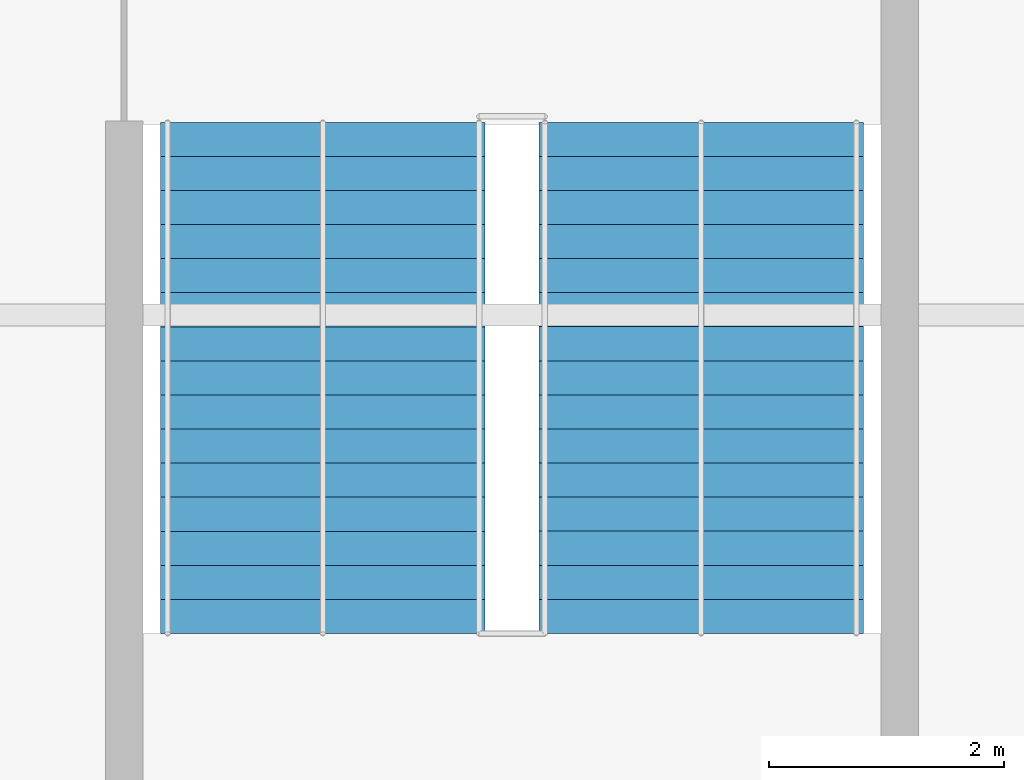
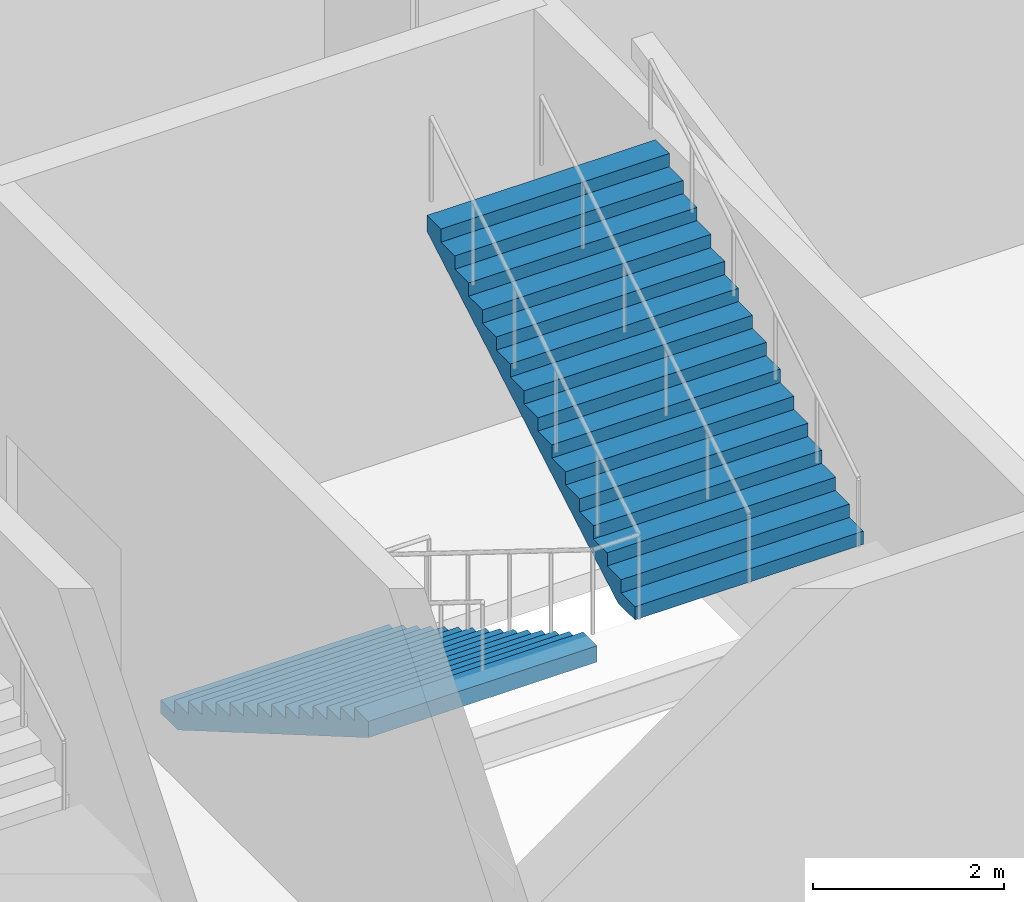
# One storey, part 94 of 113: 2 stair flights, 1 element without a shape of its own.
"""IFC4 building model written with IfcOpenShell, lengths in metres."""

import ifcopenshell
import ifcopenshell.guid

model = None  # the IFC model being written
_history = None  # IfcOwnerHistory: only IFC2X3 demands one
_inside = {}  # id of a spatial element -> (the spatial element, [elements in it])
_under = {}  # id of a project, library or spatial element -> (it, [spatial elements below it])
_declared = {}  # id of a project -> (the project, [libraries it declares])
_typed = {}  # id of a type object -> (the type object, [elements of that type])
_made_of = {}  # id of a material, layer set ... -> (it, [elements and type objects made of it])


def new_model(schema):
    """Start an empty IFC model of exactly this schema.

    Asked for "IFC4X3", IfcOpenShell would pick the latest addendum, in which some entities
    have other attributes; the version numbers below select the first issue.
    IFC2X3 requires an IfcOwnerHistory on every rooted entity: one is made here for all.
    """
    global model, _history
    if schema == "IFC4X3":
        model = ifcopenshell.file(schema_version=(4, 3, 0, 0))
    else:
        model = ifcopenshell.file(schema=schema)
    _inside.clear()
    _under.clear()
    _declared.clear()
    _typed.clear()
    _made_of.clear()
    _history = None
    if model.schema == "IFC2X3":
        org = make("IfcOrganization", Name="unknown")
        user = make(
            "IfcPersonAndOrganization",
            ThePerson=make("IfcPerson", FamilyName="unknown"),
            TheOrganization=org,
        )
        app = make(
            "IfcApplication",
            ApplicationDeveloper=org,
            Version="unknown",
            ApplicationFullName="unknown",
            ApplicationIdentifier="unknown",
        )
        _history = make(
            "IfcOwnerHistory",
            OwningUser=user,
            OwningApplication=app,
            ChangeAction="ADDED",
            CreationDate=0,
        )
    return model


def make(cls, **values):
    """One entity of the class cls with the attributes given. An attribute that is None is left unset."""
    return model.create_entity(
        cls, **{name: value for name, value in values.items() if value is not None}
    )


def rooted(cls, **values):
    """An entity with a GlobalId (a new one), such as an element, a storey or a relation."""
    return make(cls, GlobalId=ifcopenshell.guid.new(), OwnerHistory=_history, **values)


def si_unit(unit_type, name, prefix=None):
    """IfcSIUnit, for example si_unit("LENGTHUNIT", "METRE", prefix="MILLI")."""
    return make("IfcSIUnit", UnitType=unit_type, Prefix=prefix, Name=name)


def assignment(units):
    """IfcUnitAssignment: the units of a project."""
    return None if units is None else make("IfcUnitAssignment", Units=units)


def point(xyz):
    """IfcCartesianPoint."""
    return None if xyz is None else make("IfcCartesianPoint", Coordinates=xyz)


def direction(xyz):
    """IfcDirection."""
    return None if xyz is None else make("IfcDirection", DirectionRatios=xyz)


def frame(location, z_axis=None, x_axis=None):
    """IfcAxis2Placement3D, a coordinate frame: its origin and axes. An axis left out is left unset."""
    return make(
        "IfcAxis2Placement3D",
        Location=point(location),
        Axis=direction(z_axis),
        RefDirection=direction(x_axis),
    )


def origin():
    """The frame at (0, 0, 0) with its axes left unset."""
    return frame((0.0, 0.0, 0.0))


def place(relative_to, where):
    """IfcLocalPlacement: puts the frame where relative to a parent placement (None: the world)."""
    return make(
        "IfcLocalPlacement", PlacementRelTo=relative_to, RelativePlacement=where
    )


def context(
    kind, dimensions, precision=None, world=None, true_north=None, identifier=None
):
    """IfcGeometricRepresentationContext, for example the 3D "Model" context."""
    return make(
        "IfcGeometricRepresentationContext",
        ContextIdentifier=identifier,
        ContextType=kind,
        CoordinateSpaceDimension=dimensions,
        Precision=precision,
        WorldCoordinateSystem=world,
        TrueNorth=true_north,
    )


def subcontext(parent, identifier, kind, view, scale=None):
    """IfcGeometricRepresentationSubContext, for example "Body" below "Model"."""
    return make(
        "IfcGeometricRepresentationSubContext",
        ContextIdentifier=identifier,
        ContextType=kind,
        ParentContext=parent,
        TargetScale=scale,
        TargetView=view,
    )


def project(units=None, contexts=None):
    """IfcProject with its units and contexts."""
    return rooted(
        "IfcProject",
        Name="project",
        RepresentationContexts=contexts,
        UnitsInContext=assignment(units),
    )


def spatial(cls, under=None, at=None, **own):
    """A site, building, storey or space (cls), placed at a placement, below another one or the project."""
    s = rooted(cls, ObjectPlacement=at, **own)
    if under is not None:
        _under.setdefault(under.id(), (under, []))[1].append(s)
    return s


def point_list(points):
    """IfcCartesianPointList2D or 3D."""
    cls = (
        "IfcCartesianPointList2D" if len(points[0]) == 2 else "IfcCartesianPointList3D"
    )
    return make(cls, CoordList=points)


def polygons(points, faces, closed=None, point_numbers=None):
    """IfcPolygonalFaceSet: a face is its outer loop, then its inner loops; points numbered from 1."""
    made = []
    for loops in faces:
        if len(loops) == 1:
            made.append(make("IfcIndexedPolygonalFace", CoordIndex=loops[0]))
        else:
            made.append(
                make(
                    "IfcIndexedPolygonalFaceWithVoids",
                    CoordIndex=loops[0],
                    InnerCoordIndices=loops[1:],
                )
            )
    return make(
        "IfcPolygonalFaceSet",
        Coordinates=point_list(points),
        Closed=closed,
        Faces=made,
        PnIndex=point_numbers,
    )


def shape(context_of_items, identifier, shape_type, items):
    """IfcShapeRepresentation: the items that make up one representation, for example the "Body"."""
    return make(
        "IfcShapeRepresentation",
        ContextOfItems=context_of_items,
        RepresentationIdentifier=identifier,
        RepresentationType=shape_type,
        Items=items,
    )


def material(Name=None, Category=None):
    """IfcMaterial."""
    return make("IfcMaterial", Name=Name, Category=Category)


def made_of(thing, what):
    """Note that an element or type object is made of a material, layer set ...; save() writes the relation."""
    if what is not None:
        _made_of.setdefault(what.id(), (what, []))[1].append(thing)
    return thing


def type_object(cls, material=None, **own):
    """A type object (cls), such as IfcWallType, which elements share."""
    return made_of(rooted(cls, **own), material)


def element(
    cls,
    number,
    at=None,
    inside=None,
    cuts=None,
    type_object=None,
    material=None,
    context=None,
    identifier="Body",
    shape_type=None,
    held_by="IfcProductDefinitionShape",
    body=None,
    shapes=None,
    **own,
):
    """One element of the class cls, such as IfcWall. Its Tag is "e" and its number.

    at: its placement. inside: the storey or other place that contains it. cuts: it is an
    opening in that element (IfcRelVoidsElement). A single representation is given by context,
    identifier, shape_type and body (its items); several are given by shapes. held_by: the class
    of the entity that holds the representations. save() writes the other relations.
    """
    e = rooted(cls, Tag="e%d" % number, ObjectPlacement=at, **own)
    if body is not None:
        shapes = [shape(context, identifier, shape_type, body)]
    if shapes is not None:
        e.Representation = make(held_by, Representations=shapes)
    if inside is not None:
        _inside.setdefault(inside.id(), (inside, []))[1].append(e)
    if cuts is not None:
        rooted(
            "IfcRelVoidsElement", RelatingBuildingElement=cuts, RelatedOpeningElement=e
        )
    if type_object is not None:
        _typed.setdefault(type_object.id(), (type_object, []))[1].append(e)
    return made_of(e, material)


def aggregate(whole, parts):
    """IfcRelAggregates: a whole, such as a stair, and the parts it consists of."""
    return rooted("IfcRelAggregates", RelatingObject=whole, RelatedObjects=parts)


def save(model, path):
    """Write the relations noted so far, then the file.

    IfcRelAggregates (storeys below a building ...), IfcRelContainedInSpatialStructure (elements
    in a storey), IfcRelDefinesByType, IfcRelAssociatesMaterial and IfcRelDeclares: one each for
    every whole, place, type object, material and project.
    """
    for whole, parts in _under.values():
        aggregate(whole, parts)
    for where, things in _inside.values():
        rooted(
            "IfcRelContainedInSpatialStructure",
            RelatedElements=things,
            RelatingStructure=where,
        )
    for kind, things in _typed.values():
        rooted("IfcRelDefinesByType", RelatedObjects=things, RelatingType=kind)
    for what, things in _made_of.values():
        rooted("IfcRelAssociatesMaterial", RelatedObjects=things, RelatingMaterial=what)
    for by, libraries in _declared.values():
        rooted("IfcRelDeclares", RelatingContext=by, RelatedDefinitions=libraries)
    model.write(path)


model = new_model("IFC4")

# Units and contexts
model_context = context("Model", 3, precision=1e-05, world=origin(), true_north=direction((0.0, 1.0)))
body_context = subcontext(model_context, "Body", "Model", "MODEL_VIEW")
ifc_project = project(units=[si_unit("LENGTHUNIT", "METRE"), si_unit("AREAUNIT", "SQUARE_METRE"), si_unit("VOLUMEUNIT", "CUBIC_METRE"), si_unit("PLANEANGLEUNIT", "RADIAN"), si_unit("MASSUNIT", "GRAM", prefix="KILO")], contexts=[model_context])

# Site, building, storey
site_placement = place(None, origin())
site = spatial("IfcSite", under=ifc_project, at=site_placement, CompositionType="ELEMENT")
building_placement = place(site_placement, origin())
building = spatial("IfcBuilding", under=site, at=building_placement, Name="Kisiwana Market Hall", CompositionType="ELEMENT")
storey_placement = place(building_placement, frame((0.0, 0.0, 6.0)))
storey = spatial("IfcBuildingStorey", under=building, at=storey_placement, Name="L01", CompositionType="ELEMENT", Elevation=6.0)

# Stair, stair flights
ifc_material_1 = material(Name="Concrete C32/40", Category="concrete")
stair_type = type_object("IfcStairType", Name="ST-ESC-5400", PredefinedType="TWO_STRAIGHT_RUN_STAIR", material=ifc_material_1)
stair_placement = place(storey_placement, origin())
stair = element("IfcStair", 1, at=stair_placement, inside=storey, type_object=stair_type, Name="Escape stair ST-E4-L01", PredefinedType="TWO_STRAIGHT_RUN_STAIR")
ifc_material_2 = material(Name="Concrete C32/40", Category="concrete")
stair_flight_type = type_object("IfcStairFlightType", Name="SF-ESC-5400", PredefinedType="STRAIGHT", material=ifc_material_2)
stair_flight_1_placement = place(storey_placement, frame((182.889892578125, 77.639892578125, 0.0), z_axis=(0.0, 0.0, 1.0), x_axis=(0.0, -1.0, 0.0)))
stair_flight_1 = element("IfcStairFlight", 2, at=stair_flight_1_placement, type_object=stair_flight_type, Name="ST-E4-L01 flight 1", NumberOfRisers=16, NumberOfTreads=15, PredefinedType="STRAIGHT", RiserHeight=0.16875, TreadLength=0.29, context=body_context, shape_type="Tessellation", body=[
    polygons([(0.0, -1.380127, 0.0), (0.0, -0.690125, 0.0), (0.0, -0.000122, 0.0), (0.0, 0.68988, 0.0), (0.0, 1.379883, 0.0), (0.0, -1.380127, 0.168701), (0.0, -0.690125, 0.168701), (0.0, -0.000122, 0.168701), (0.0, 0.68988, 0.168701), (0.0, 1.379883, 0.168701), (0.290039, -1.380127, 0.168701), (0.290039, -0.690125, 0.168701), (0.290039, -0.000122, 0.168701), (0.290039, 0.68988, 0.168701), (0.290039, 1.379883, 0.168701), (0.290039, -1.380127, 0.337402), (0.290039, -0.690125, 0.337402), (0.290039, -0.000122, 0.337402), (0.290039, 0.68988, 0.337402), (0.290039, 1.379883, 0.337402), (0.580078, -1.380127, 0.337402), (0.580078, -0.690125, 0.337402), (0.580078, -0.000122, 0.337402), (0.580078, 0.68988, 0.337402), (0.580078, 1.379883, 0.337402), (0.580078, -1.380127, 0.506348), (0.580078, -0.690125, 0.506348), (0.580078, -0.000122, 0.506348), (0.580078, 0.68988, 0.506348), (0.580078, 1.379883, 0.506348), (0.870117, -1.380127, 0.506348), (0.870117, -0.690125, 0.506348), (0.870117, -0.000122, 0.506348), (0.870117, 0.68988, 0.506348), (0.870117, 1.379883, 0.506348), (0.870117, -1.380127, 0.675049), (0.870117, -0.690125, 0.675049), (0.870117, -0.000122, 0.675049), (0.870117, 0.68988, 0.675049), (0.870117, 1.379883, 0.675049), (1.159912, -1.380127, 0.675049), (1.159912, -0.690125, 0.675049), (1.159912, -0.000122, 0.675049), (1.159912, 0.68988, 0.675049), (1.159912, 1.379883, 0.675049), (1.159912, -1.380127, 0.84375), (1.159912, -0.690125, 0.84375), (1.159912, -0.000122, 0.84375), (1.159912, 0.68988, 0.84375), (1.159912, 1.379883, 0.84375), (1.449951, -1.380127, 0.84375), (1.449951, -0.690125, 0.84375), (1.449951, -0.000122, 0.84375), (1.449951, 0.68988, 0.84375), (1.449951, 1.379883, 0.84375), (1.449951, -1.380127, 1.012451), (1.449951, -0.690125, 1.012451), (1.449951, -0.000122, 1.012451), (1.449951, 0.68988, 1.012451), (1.449951, 1.379883, 1.012451), (1.73999, -1.380127, 1.012451), (1.73999, -0.690125, 1.012451), (1.73999, -0.000122, 1.012451), (1.73999, 0.68988, 1.012451), (1.73999, 1.379883, 1.012451), (1.73999, -1.380127, 1.181152), (1.73999, -0.690125, 1.181152), (1.73999, -0.000122, 1.181152), (1.73999, 0.68988, 1.181152), (1.73999, 1.379883, 1.181152), (2.030029, -1.380127, 1.181152), (2.030029, -0.690125, 1.181152), (2.030029, -0.000122, 1.181152), (2.030029, 0.68988, 1.181152), (2.030029, 1.379883, 1.181152), (2.030029, -1.380127, 1.350098), (2.030029, -0.690125, 1.350098), (2.030029, -0.000122, 1.350098), (2.030029, 0.68988, 1.350098), (2.030029, 1.379883, 1.350098), (2.320068, -1.380127, 1.350098), (2.320068, -0.690125, 1.350098), (2.320068, -0.000122, 1.350098), (2.320068, 0.68988, 1.350098), (2.320068, 1.379883, 1.350098), (2.320068, -1.380127, 1.518799), (2.320068, -0.690125, 1.518799), (2.320068, -0.000122, 1.518799), (2.320068, 0.68988, 1.518799), (2.320068, 1.379883, 1.518799), (2.610107, -1.380127, 1.518799), (2.610107, -0.690125, 1.518799), (2.610107, -0.000122, 1.518799), (2.610107, 0.68988, 1.518799), (2.610107, 1.379883, 1.518799), (2.610107, -1.380127, 1.6875), (2.610107, -0.690125, 1.6875), (2.610107, -0.000122, 1.6875), (2.610107, 0.68988, 1.6875), (2.610107, 1.379883, 1.6875), (2.899902, -1.380127, 1.6875), (2.899902, -0.690125, 1.6875), (2.899902, -0.000122, 1.6875), (2.899902, 0.68988, 1.6875), (2.899902, 1.379883, 1.6875), (2.899902, -1.380127, 1.856201), (2.899902, -0.690125, 1.856201), (2.899902, -0.000122, 1.856201), (2.899902, 0.68988, 1.856201), (2.899902, 1.379883, 1.856201), (3.189941, -1.380127, 1.856201), (3.189941, -0.690125, 1.856201), (3.189941, -0.000122, 1.856201), (3.189941, 0.68988, 1.856201), (3.189941, 1.379883, 1.856201), (3.189941, -1.380127, 2.024902), (3.189941, -0.690125, 2.024902), (3.189941, -0.000122, 2.024902), (3.189941, 0.68988, 2.024902), (3.189941, 1.379883, 2.024902), (3.47998, -1.380127, 2.024902), (3.47998, -0.690125, 2.024902), (3.47998, -0.000122, 2.024902), (3.47998, 0.68988, 2.024902), (3.47998, 1.379883, 2.024902), (3.47998, -1.380127, 2.193848), (3.47998, -0.690125, 2.193848), (3.47998, -0.000122, 2.193848), (3.47998, 0.68988, 2.193848), (3.47998, 1.379883, 2.193848), (3.77002, -1.380127, 2.193848), (3.77002, -0.690125, 2.193848), (3.77002, -0.000122, 2.193848), (3.77002, 0.68988, 2.193848), (3.77002, 1.379883, 2.193848), (3.77002, -1.380127, 2.362549), (3.77002, -0.690125, 2.362549), (3.77002, -0.000122, 2.362549), (3.77002, 0.68988, 2.362549), (3.77002, 1.379883, 2.362549), (4.060059, -1.380127, 2.362549), (4.060059, -0.690125, 2.362549), (4.060059, -0.000122, 2.362549), (4.060059, 0.68988, 2.362549), (4.060059, 1.379883, 2.362549), (4.060059, -1.380127, 2.53125), (4.060059, -0.690125, 2.53125), (4.060059, -0.000122, 2.53125), (4.060059, 0.68988, 2.53125), (4.060059, 1.379883, 2.53125), (4.350098, -1.380127, 2.53125), (4.350098, -0.690125, 2.53125), (4.350098, -0.000122, 2.53125), (4.350098, 0.68988, 2.53125), (4.350098, 1.379883, 2.53125), (4.350098, -1.380127, 2.322998), (4.350098, -0.690125, 2.322998), (4.350098, -0.000122, 2.322998), (4.350098, 0.68988, 2.322998), (4.350098, 1.379883, 2.322998), (0.357666, -1.380127, 0.0), (0.357666, -0.690125, 0.0), (0.357666, -0.000122, 0.0), (0.357666, 0.68988, 0.0), (0.357666, 1.379883, 0.0)], [[[1, 6, 7, 2]], [[2, 7, 8, 3]], [[3, 8, 9, 4]], [[4, 9, 10, 5]], [[6, 11, 12, 7]], [[7, 12, 13, 8]], [[8, 13, 14, 9]], [[9, 14, 15, 10]], [[11, 16, 17, 12]], [[12, 17, 18, 13]], [[13, 18, 19, 14]], [[14, 19, 20, 15]], [[16, 21, 22, 17]], [[17, 22, 23, 18]], [[18, 23, 24, 19]], [[19, 24, 25, 20]], [[21, 26, 27, 22]], [[22, 27, 28, 23]], [[23, 28, 29, 24]], [[24, 29, 30, 25]], [[26, 31, 32, 27]], [[27, 32, 33, 28]], [[28, 33, 34, 29]], [[29, 34, 35, 30]], [[31, 36, 37, 32]], [[32, 37, 38, 33]], [[33, 38, 39, 34]], [[34, 39, 40, 35]], [[36, 41, 42, 37]], [[37, 42, 43, 38]], [[38, 43, 44, 39]], [[39, 44, 45, 40]], [[41, 46, 47, 42]], [[42, 47, 48, 43]], [[43, 48, 49, 44]], [[44, 49, 50, 45]], [[46, 51, 52, 47]], [[47, 52, 53, 48]], [[48, 53, 54, 49]], [[49, 54, 55, 50]], [[51, 56, 57, 52]], [[52, 57, 58, 53]], [[53, 58, 59, 54]], [[54, 59, 60, 55]], [[56, 61, 62, 57]], [[57, 62, 63, 58]], [[58, 63, 64, 59]], [[59, 64, 65, 60]], [[61, 66, 67, 62]], [[62, 67, 68, 63]], [[63, 68, 69, 64]], [[64, 69, 70, 65]], [[66, 71, 72, 67]], [[67, 72, 73, 68]], [[68, 73, 74, 69]], [[69, 74, 75, 70]], [[71, 76, 77, 72]], [[72, 77, 78, 73]], [[73, 78, 79, 74]], [[74, 79, 80, 75]], [[76, 81, 82, 77]], [[77, 82, 83, 78]], [[78, 83, 84, 79]], [[79, 84, 85, 80]], [[81, 86, 87, 82]], [[82, 87, 88, 83]], [[83, 88, 89, 84]], [[84, 89, 90, 85]], [[86, 91, 92, 87]], [[87, 92, 93, 88]], [[88, 93, 94, 89]], [[89, 94, 95, 90]], [[91, 96, 97, 92]], [[92, 97, 98, 93]], [[93, 98, 99, 94]], [[94, 99, 100, 95]], [[96, 101, 102, 97]], [[97, 102, 103, 98]], [[98, 103, 104, 99]], [[99, 104, 105, 100]], [[101, 106, 107, 102]], [[102, 107, 108, 103]], [[103, 108, 109, 104]], [[104, 109, 110, 105]], [[106, 111, 112, 107]], [[107, 112, 113, 108]], [[108, 113, 114, 109]], [[109, 114, 115, 110]], [[111, 116, 117, 112]], [[112, 117, 118, 113]], [[113, 118, 119, 114]], [[114, 119, 120, 115]], [[116, 121, 122, 117]], [[117, 122, 123, 118]], [[118, 123, 124, 119]], [[119, 124, 125, 120]], [[121, 126, 127, 122]], [[122, 127, 128, 123]], [[123, 128, 129, 124]], [[124, 129, 130, 125]], [[126, 131, 132, 127]], [[127, 132, 133, 128]], [[128, 133, 134, 129]], [[129, 134, 135, 130]], [[131, 136, 137, 132]], [[132, 137, 138, 133]], [[133, 138, 139, 134]], [[134, 139, 140, 135]], [[136, 141, 142, 137]], [[137, 142, 143, 138]], [[138, 143, 144, 139]], [[139, 144, 145, 140]], [[141, 146, 147, 142]], [[142, 147, 148, 143]], [[143, 148, 149, 144]], [[144, 149, 150, 145]], [[146, 151, 152, 147]], [[147, 152, 153, 148]], [[148, 153, 154, 149]], [[149, 154, 155, 150]], [[151, 156, 157, 152]], [[152, 157, 158, 153]], [[153, 158, 159, 154]], [[154, 159, 160, 155]], [[156, 161, 162, 157]], [[157, 162, 163, 158]], [[158, 163, 164, 159]], [[159, 164, 165, 160]], [[161, 1, 2, 162]], [[162, 2, 3, 163]], [[163, 3, 4, 164]], [[164, 4, 5, 165]], [[161, 156, 151, 146, 141, 136, 131, 126, 121, 116, 111, 106, 101, 96, 91, 86, 81, 76, 71, 66, 61, 56, 51, 46, 41, 36, 31, 26, 21, 16, 11, 6, 1]], [[5, 10, 15, 20, 25, 30, 35, 40, 45, 50, 55, 60, 65, 70, 75, 80, 85, 90, 95, 100, 105, 110, 115, 120, 125, 130, 135, 140, 145, 150, 155, 160, 165]]], closed=True),
])
stair_flight_2_placement = place(storey_placement, frame((186.110107421875, 73.2900390625, 2.699951171875), z_axis=(0.0, 0.0, 1.0), x_axis=(0.0, 1.0, 0.0)))
stair_flight_2 = element("IfcStairFlight", 3, at=stair_flight_2_placement, type_object=stair_flight_type, Name="ST-E4-L01 flight 2", NumberOfRisers=16, NumberOfTreads=15, PredefinedType="STRAIGHT", RiserHeight=0.16875, TreadLength=0.29, context=body_context, shape_type="Tessellation", body=[
    polygons([(0.0, -1.380127, 0.0), (0.0, -0.690125, 0.0), (0.0, -0.000122, 0.0), (0.0, 0.68988, 0.0), (0.0, 1.379883, 0.0), (0.0, -1.380127, 0.168701), (0.0, -0.690125, 0.168701), (0.0, -0.000122, 0.168701), (0.0, 0.68988, 0.168701), (0.0, 1.379883, 0.168701), (0.290039, -1.380127, 0.168701), (0.290039, -0.690125, 0.168701), (0.290039, -0.000122, 0.168701), (0.290039, 0.68988, 0.168701), (0.290039, 1.379883, 0.168701), (0.290039, -1.380127, 0.337402), (0.290039, -0.690125, 0.337402), (0.290039, -0.000122, 0.337402), (0.290039, 0.68988, 0.337402), (0.290039, 1.379883, 0.337402), (0.580078, -1.380127, 0.337402), (0.580078, -0.690125, 0.337402), (0.580078, -0.000122, 0.337402), (0.580078, 0.68988, 0.337402), (0.580078, 1.379883, 0.337402), (0.580078, -1.380127, 0.506348), (0.580078, -0.690125, 0.506348), (0.580078, -0.000122, 0.506348), (0.580078, 0.68988, 0.506348), (0.580078, 1.379883, 0.506348), (0.870117, -1.380127, 0.506348), (0.870117, -0.690125, 0.506348), (0.870117, -0.000122, 0.506348), (0.870117, 0.68988, 0.506348), (0.870117, 1.379883, 0.506348), (0.870117, -1.380127, 0.675049), (0.870117, -0.690125, 0.675049), (0.870117, -0.000122, 0.675049), (0.870117, 0.68988, 0.675049), (0.870117, 1.379883, 0.675049), (1.159912, -1.380127, 0.675049), (1.159912, -0.690125, 0.675049), (1.159912, -0.000122, 0.675049), (1.159912, 0.68988, 0.675049), (1.159912, 1.379883, 0.675049), (1.159912, -1.380127, 0.84375), (1.159912, -0.690125, 0.84375), (1.159912, -0.000122, 0.84375), (1.159912, 0.68988, 0.84375), (1.159912, 1.379883, 0.84375), (1.449951, -1.380127, 0.84375), (1.449951, -0.690125, 0.84375), (1.449951, -0.000122, 0.84375), (1.449951, 0.68988, 0.84375), (1.449951, 1.379883, 0.84375), (1.449951, -1.380127, 1.012451), (1.449951, -0.690125, 1.012451), (1.449951, -0.000122, 1.012451), (1.449951, 0.68988, 1.012451), (1.449951, 1.379883, 1.012451), (1.73999, -1.380127, 1.012451), (1.73999, -0.690125, 1.012451), (1.73999, -0.000122, 1.012451), (1.73999, 0.68988, 1.012451), (1.73999, 1.379883, 1.012451), (1.73999, -1.380127, 1.181152), (1.73999, -0.690125, 1.181152), (1.73999, -0.000122, 1.181152), (1.73999, 0.68988, 1.181152), (1.73999, 1.379883, 1.181152), (2.030029, -1.380127, 1.181152), (2.030029, -0.690125, 1.181152), (2.030029, -0.000122, 1.181152), (2.030029, 0.68988, 1.181152), (2.030029, 1.379883, 1.181152), (2.030029, -1.380127, 1.350098), (2.030029, -0.690125, 1.350098), (2.030029, -0.000122, 1.350098), (2.030029, 0.68988, 1.350098), (2.030029, 1.379883, 1.350098), (2.320068, -1.380127, 1.350098), (2.320068, -0.690125, 1.350098), (2.320068, -0.000122, 1.350098), (2.320068, 0.68988, 1.350098), (2.320068, 1.379883, 1.350098), (2.320068, -1.380127, 1.518799), (2.320068, -0.690125, 1.518799), (2.320068, -0.000122, 1.518799), (2.320068, 0.68988, 1.518799), (2.320068, 1.379883, 1.518799), (2.610107, -1.380127, 1.518799), (2.610107, -0.690125, 1.518799), (2.610107, -0.000122, 1.518799), (2.610107, 0.68988, 1.518799), (2.610107, 1.379883, 1.518799), (2.610107, -1.380127, 1.6875), (2.610107, -0.690125, 1.6875), (2.610107, -0.000122, 1.6875), (2.610107, 0.68988, 1.6875), (2.610107, 1.379883, 1.6875), (2.899902, -1.380127, 1.6875), (2.899902, -0.690125, 1.6875), (2.899902, -0.000122, 1.6875), (2.899902, 0.68988, 1.6875), (2.899902, 1.379883, 1.6875), (2.899902, -1.380127, 1.856201), (2.899902, -0.690125, 1.856201), (2.899902, -0.000122, 1.856201), (2.899902, 0.68988, 1.856201), (2.899902, 1.379883, 1.856201), (3.189941, -1.380127, 1.856201), (3.189941, -0.690125, 1.856201), (3.189941, -0.000122, 1.856201), (3.189941, 0.68988, 1.856201), (3.189941, 1.379883, 1.856201), (3.189941, -1.380127, 2.024902), (3.189941, -0.690125, 2.024902), (3.189941, -0.000122, 2.024902), (3.189941, 0.68988, 2.024902), (3.189941, 1.379883, 2.024902), (3.47998, -1.380127, 2.024902), (3.47998, -0.690125, 2.024902), (3.47998, -0.000122, 2.024902), (3.47998, 0.68988, 2.024902), (3.47998, 1.379883, 2.024902), (3.47998, -1.380127, 2.193848), (3.47998, -0.690125, 2.193848), (3.47998, -0.000122, 2.193848), (3.47998, 0.68988, 2.193848), (3.47998, 1.379883, 2.193848), (3.77002, -1.380127, 2.193848), (3.77002, -0.690125, 2.193848), (3.77002, -0.000122, 2.193848), (3.77002, 0.68988, 2.193848), (3.77002, 1.379883, 2.193848), (3.77002, -1.380127, 2.362549), (3.77002, -0.690125, 2.362549), (3.77002, -0.000122, 2.362549), (3.77002, 0.68988, 2.362549), (3.77002, 1.379883, 2.362549), (4.060059, -1.380127, 2.362549), (4.060059, -0.690125, 2.362549), (4.060059, -0.000122, 2.362549), (4.060059, 0.68988, 2.362549), (4.060059, 1.379883, 2.362549), (4.060059, -1.380127, 2.53125), (4.060059, -0.690125, 2.53125), (4.060059, -0.000122, 2.53125), (4.060059, 0.68988, 2.53125), (4.060059, 1.379883, 2.53125), (4.350098, -1.380127, 2.53125), (4.350098, -0.690125, 2.53125), (4.350098, -0.000122, 2.53125), (4.350098, 0.68988, 2.53125), (4.350098, 1.379883, 2.53125), (4.350098, -1.380127, 2.322998), (4.350098, -0.690125, 2.322998), (4.350098, -0.000122, 2.322998), (4.350098, 0.68988, 2.322998), (4.350098, 1.379883, 2.322998), (0.357666, -1.380127, 0.0), (0.357666, -0.690125, 0.0), (0.357666, -0.000122, 0.0), (0.357666, 0.68988, 0.0), (0.357666, 1.379883, 0.0)], [[[1, 6, 7, 2]], [[2, 7, 8, 3]], [[3, 8, 9, 4]], [[4, 9, 10, 5]], [[6, 11, 12, 7]], [[7, 12, 13, 8]], [[8, 13, 14, 9]], [[9, 14, 15, 10]], [[11, 16, 17, 12]], [[12, 17, 18, 13]], [[13, 18, 19, 14]], [[14, 19, 20, 15]], [[16, 21, 22, 17]], [[17, 22, 23, 18]], [[18, 23, 24, 19]], [[19, 24, 25, 20]], [[21, 26, 27, 22]], [[22, 27, 28, 23]], [[23, 28, 29, 24]], [[24, 29, 30, 25]], [[26, 31, 32, 27]], [[27, 32, 33, 28]], [[28, 33, 34, 29]], [[29, 34, 35, 30]], [[31, 36, 37, 32]], [[32, 37, 38, 33]], [[33, 38, 39, 34]], [[34, 39, 40, 35]], [[36, 41, 42, 37]], [[37, 42, 43, 38]], [[38, 43, 44, 39]], [[39, 44, 45, 40]], [[41, 46, 47, 42]], [[42, 47, 48, 43]], [[43, 48, 49, 44]], [[44, 49, 50, 45]], [[46, 51, 52, 47]], [[47, 52, 53, 48]], [[48, 53, 54, 49]], [[49, 54, 55, 50]], [[51, 56, 57, 52]], [[52, 57, 58, 53]], [[53, 58, 59, 54]], [[54, 59, 60, 55]], [[56, 61, 62, 57]], [[57, 62, 63, 58]], [[58, 63, 64, 59]], [[59, 64, 65, 60]], [[61, 66, 67, 62]], [[62, 67, 68, 63]], [[63, 68, 69, 64]], [[64, 69, 70, 65]], [[66, 71, 72, 67]], [[67, 72, 73, 68]], [[68, 73, 74, 69]], [[69, 74, 75, 70]], [[71, 76, 77, 72]], [[72, 77, 78, 73]], [[73, 78, 79, 74]], [[74, 79, 80, 75]], [[76, 81, 82, 77]], [[77, 82, 83, 78]], [[78, 83, 84, 79]], [[79, 84, 85, 80]], [[81, 86, 87, 82]], [[82, 87, 88, 83]], [[83, 88, 89, 84]], [[84, 89, 90, 85]], [[86, 91, 92, 87]], [[87, 92, 93, 88]], [[88, 93, 94, 89]], [[89, 94, 95, 90]], [[91, 96, 97, 92]], [[92, 97, 98, 93]], [[93, 98, 99, 94]], [[94, 99, 100, 95]], [[96, 101, 102, 97]], [[97, 102, 103, 98]], [[98, 103, 104, 99]], [[99, 104, 105, 100]], [[101, 106, 107, 102]], [[102, 107, 108, 103]], [[103, 108, 109, 104]], [[104, 109, 110, 105]], [[106, 111, 112, 107]], [[107, 112, 113, 108]], [[108, 113, 114, 109]], [[109, 114, 115, 110]], [[111, 116, 117, 112]], [[112, 117, 118, 113]], [[113, 118, 119, 114]], [[114, 119, 120, 115]], [[116, 121, 122, 117]], [[117, 122, 123, 118]], [[118, 123, 124, 119]], [[119, 124, 125, 120]], [[121, 126, 127, 122]], [[122, 127, 128, 123]], [[123, 128, 129, 124]], [[124, 129, 130, 125]], [[126, 131, 132, 127]], [[127, 132, 133, 128]], [[128, 133, 134, 129]], [[129, 134, 135, 130]], [[131, 136, 137, 132]], [[132, 137, 138, 133]], [[133, 138, 139, 134]], [[134, 139, 140, 135]], [[136, 141, 142, 137]], [[137, 142, 143, 138]], [[138, 143, 144, 139]], [[139, 144, 145, 140]], [[141, 146, 147, 142]], [[142, 147, 148, 143]], [[143, 148, 149, 144]], [[144, 149, 150, 145]], [[146, 151, 152, 147]], [[147, 152, 153, 148]], [[148, 153, 154, 149]], [[149, 154, 155, 150]], [[151, 156, 157, 152]], [[152, 157, 158, 153]], [[153, 158, 159, 154]], [[154, 159, 160, 155]], [[156, 161, 162, 157]], [[157, 162, 163, 158]], [[158, 163, 164, 159]], [[159, 164, 165, 160]], [[161, 1, 2, 162]], [[162, 2, 3, 163]], [[163, 3, 4, 164]], [[164, 4, 5, 165]], [[161, 156, 151, 146, 141, 136, 131, 126, 121, 116, 111, 106, 101, 96, 91, 86, 81, 76, 71, 66, 61, 56, 51, 46, 41, 36, 31, 26, 21, 16, 11, 6, 1]], [[5, 10, 15, 20, 25, 30, 35, 40, 45, 50, 55, 60, 65, 70, 75, 80, 85, 90, 95, 100, 105, 110, 115, 120, 125, 130, 135, 140, 145, 150, 155, 160, 165]]], closed=True),
])
aggregate(stair, [stair_flight_1, stair_flight_2])

save(model, "model.ifc")
